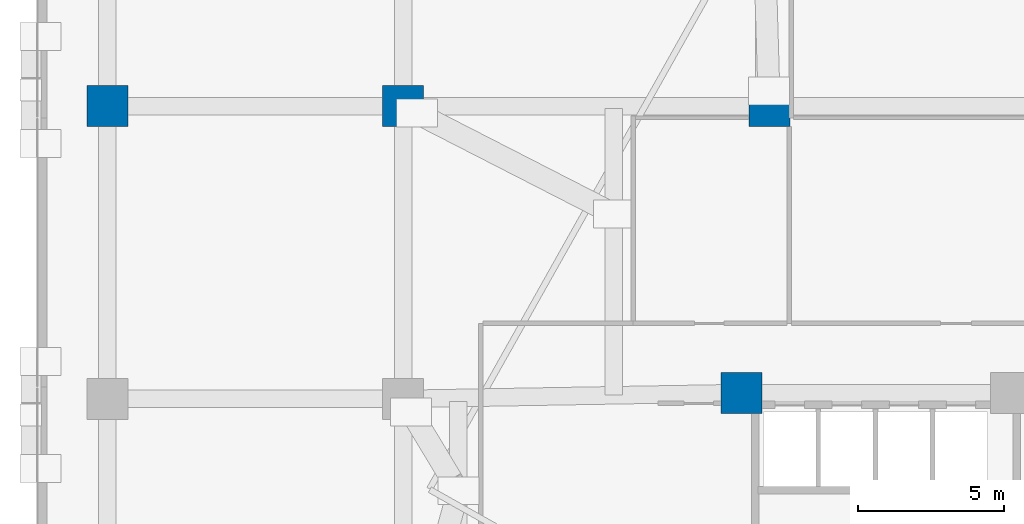
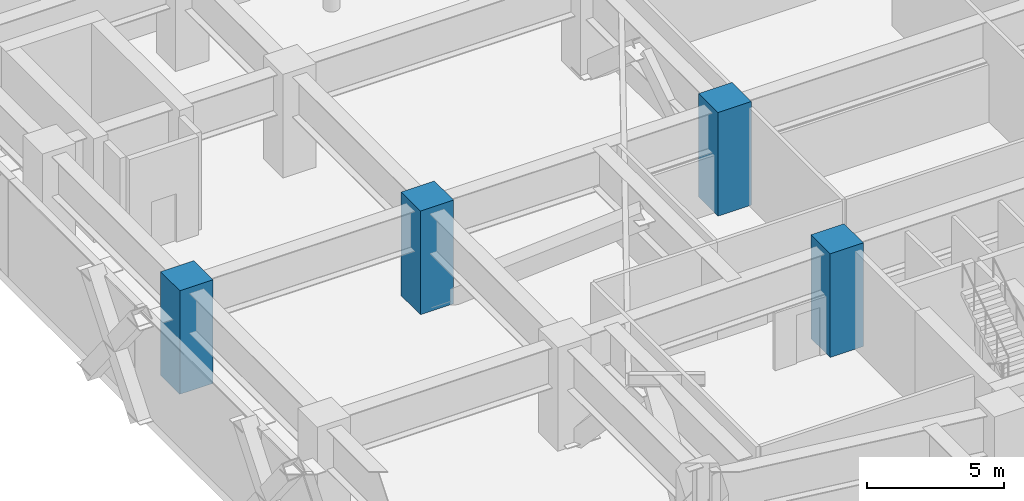
# One storey, part 2 of 14: 4 columns.
"""IFC4 building model written with IfcOpenShell, lengths in metres."""

from ifc_helpers import new_model, si_unit, direction, frame, origin, origin_2d, place, context, subcontext, project, spatial, rectangle, extrude, material, material_profile, profile_set, type_object, element, save


model = new_model("IFC4")

# Units and contexts
model_context = context("Model", 3, precision=1e-05, world=origin(), true_north=direction((0.0, 1.0)))
body_context = subcontext(model_context, "Body", "Model", "MODEL_VIEW")
ifc_project = project(units=[si_unit("LENGTHUNIT", "METRE"), si_unit("AREAUNIT", "SQUARE_METRE"), si_unit("VOLUMEUNIT", "CUBIC_METRE"), si_unit("PLANEANGLEUNIT", "RADIAN"), si_unit("MASSUNIT", "GRAM", prefix="KILO")], contexts=[model_context])

# Site, building, storey
site_placement = place(None, origin())
site = spatial("IfcSite", under=ifc_project, at=site_placement, CompositionType="ELEMENT")
building_placement = place(site_placement, origin())
building = spatial("IfcBuilding", under=site, at=building_placement, Name="Quenlor Broadcast Tower", CompositionType="ELEMENT")
storey_placement = place(building_placement, frame((0.0, 0.0, 23.0)))
storey = spatial("IfcBuildingStorey", under=building, at=storey_placement, Name="L05", CompositionType="ELEMENT", Elevation=23.0)

# Columns
ifc_material_1 = material(Name="Concrete C65/80", Category="concrete")
ifc_material_profile_1 = material_profile(ifc_material_1, rectangle(XDim=1.39990234375, YDim=1.39990234375, at=origin_2d()))
ifc_profile_set_1 = profile_set([ifc_material_profile_1], Name="Concrete C65/80 RC1400x1400")
column_type_1 = type_object("IfcColumnType", Name="Core Corner Column Lower Concrete C65/80 1400", PredefinedType="COLUMN", material=ifc_profile_set_1)
column_placement = place(storey_placement, frame((-12.949951171875, -4.800048828125, 0.0), z_axis=(0.0, 0.0, 1.0), x_axis=(1.0, 0.0, 0.0)))
element("IfcColumn", 1, at=column_placement, inside=storey, type_object=column_type_1, Name="L05 Core Column CC7", PredefinedType="COLUMN", context=body_context, shape_type="SweptSolid", body=[
    extrude(rectangle(XDim=1.39990234375, YDim=1.39990234375, at=origin_2d()), origin(), (0.0, 0.0, 1.0), 4.60009765625),
])
ifc_material_2 = material(Name="Concrete C65/80", Category="concrete")
ifc_material_profile_2 = material_profile(ifc_material_2, rectangle(XDim=1.39990234375, YDim=1.39990234375, at=origin_2d()))
ifc_profile_set_2 = profile_set([ifc_material_profile_2], Name="Concrete C65/80 RC1400x1400")
column_type_2 = type_object("IfcColumnType", Name="Podium Mega Column Concrete C65/80 1400", PredefinedType="COLUMN", material=ifc_profile_set_2)
for number, where, z_axis, x_axis, name in (
    (2, (-34.60009765625, 5.0, 0.0), (0.0, 0.0, 1.0), (1.0, 0.0, 0.0), "L05 Podium Mega Column PM15"),
    (3, (-24.5, 5.0, 0.0), (0.0, 0.0, 1.0), (1.0, 0.0, 0.0), "L05 Podium Mega Column PM16"),
    (4, (-12.0, 5.0, 0.0), (0.0, 0.0, 1.0), (1.0, 0.0, 0.0), "L05 Podium Mega Column PM17"),
):
    element("IfcColumn", number, at=place(storey_placement, frame(where, z_axis=z_axis, x_axis=x_axis)), inside=storey, type_object=column_type_2, Name=name, PredefinedType="COLUMN", context=body_context, shape_type="SweptSolid", body=[
        extrude(rectangle(XDim=1.39990234375, YDim=1.39990234375, at=origin_2d()), origin(), (0.0, 0.0, 1.0), 4.60009765625),
    ])

save(model, "model.ifc")
